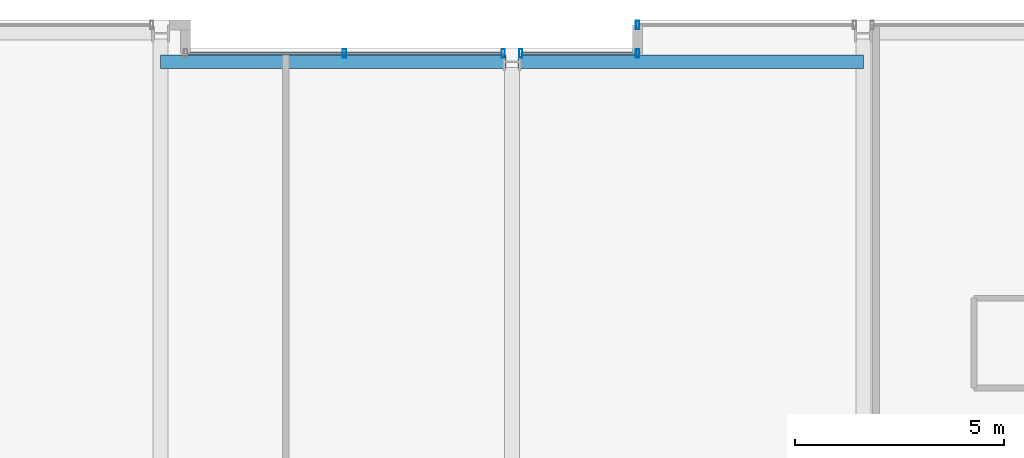
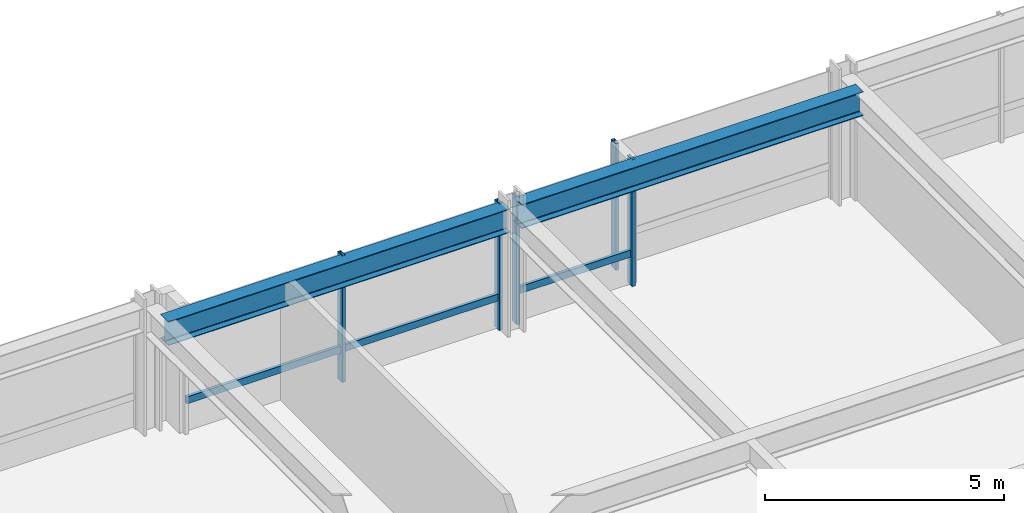
# One storey, part 22 of 33: 7 members, 2 beams, 3 elements without a shape of their own.
"""IFC4 building model written with IfcOpenShell, lengths in metres."""

from ifc_helpers import new_model, si_unit, direction, frame, origin, origin_2d, place, context, subcontext, project, spatial, hollow_rectangle, i_section, extrude, material, layer, layer_set, material_profile, profile_set, type_object, element, aggregate, save


model = new_model("IFC4")

# Units and contexts
model_context = context("Model", 3, precision=1e-05, world=origin(), true_north=direction((0.0, 1.0)))
body_context = subcontext(model_context, "Body", "Model", "MODEL_VIEW")
ifc_project = project(units=[si_unit("LENGTHUNIT", "METRE"), si_unit("AREAUNIT", "SQUARE_METRE"), si_unit("VOLUMEUNIT", "CUBIC_METRE"), si_unit("PLANEANGLEUNIT", "RADIAN"), si_unit("MASSUNIT", "GRAM", prefix="KILO")], contexts=[model_context])

# Site, building, storey
site_placement = place(None, origin())
site = spatial("IfcSite", under=ifc_project, at=site_placement, CompositionType="ELEMENT")
building_placement = place(site_placement, origin())
building = spatial("IfcBuilding", under=site, at=building_placement, Name="Drelvath Grand Hotel", CompositionType="ELEMENT")
storey_placement = place(building_placement, frame((0.0, 0.0, 119.800048828125)))
storey = spatial("IfcBuildingStorey", under=building, at=storey_placement, Name="L30", CompositionType="ELEMENT", Elevation=119.800048828125)

# Curtain wall, member
ifc_material_1 = material(Name="Champagne Bronze Anodised Aluminium Frame", Category="aluminium")
ifc_layer = layer(ifc_material_1, 0.199951171875)
ifc_layer_set = layer_set([ifc_layer], Name="Champagne Bronze Anodised Aluminium Frame")
curtain_wall_type = type_object("IfcCurtainWallType", Name="Stick Curtain Wall CW-03 Champagne Bronze Mid-Rise", PredefinedType="NOTDEFINED", material=ifc_layer_set)
curtain_wall_1_placement = place(storey_placement, origin())
curtain_wall_1 = element("IfcCurtainWall", 1, at=curtain_wall_1_placement, inside=storey, type_object=curtain_wall_type, Name="L30 CW-03 Curtain Wall CW03-L30-NM1", PredefinedType="NOTDEFINED")
ifc_material_profile_1 = material_profile(ifc_material_1, hollow_rectangle(XDim=0.074951171875, YDim=0.179931640625, WallThickness=0.0048828125, at=origin_2d()), Name="HSS180X75X5")
ifc_profile_set_1 = profile_set([ifc_material_profile_1], Name="Champagne Bronze Anodised Aluminium Frame")
member_type_1 = type_object("IfcMemberType", Name="Curtain Wall Horizontal Transom CW-03 HSS180X75X5", PredefinedType="USERDEFINED", material=ifc_profile_set_1)
member_1_placement = place(storey_placement, frame((-7.760009765625, 53.199951171875, 0.81005859375), z_axis=(1.0, 0.0, 0.0), x_axis=(0.0, 1.0, 0.0)))
member_1 = element("IfcMember", 2, at=member_1_placement, type_object=member_type_1, Name="CW03-L30-NM1 Sill Transom", ObjectType="TRANSOM", PredefinedType="USERDEFINED", context=body_context, shape_type="SweptSolid", body=[
    extrude(hollow_rectangle(XDim=0.074951171875, YDim=0.179931640625, WallThickness=0.0048828125, at=origin_2d()), origin(), (0.0, 0.0, 1.0), 7.510498046875),
])

curtain_wall_2_placement = place(storey_placement, origin())
curtain_wall_2 = element("IfcCurtainWall", 3, at=curtain_wall_2_placement, inside=storey, type_object=curtain_wall_type, Name="L30 CW-03 Curtain Wall CW03-L30-NM2", PredefinedType="NOTDEFINED")
member_2_placement = place(storey_placement, frame((0.24951171875, 53.199951171875, 0.81005859375), z_axis=(1.0, 0.0, 0.0), x_axis=(0.0, 1.0, 0.0)))
member_2 = element("IfcMember", 4, at=member_2_placement, type_object=member_type_1, Name="CW03-L30-NM2 Sill Transom", ObjectType="TRANSOM", PredefinedType="USERDEFINED", context=body_context, shape_type="SweptSolid", body=[
    extrude(hollow_rectangle(XDim=0.074951171875, YDim=0.179931640625, WallThickness=0.0048828125, at=origin_2d()), origin(), (0.0, 0.0, 1.0), 2.71044921875),
])

# Member
ifc_material_profile_2 = material_profile(ifc_material_1, hollow_rectangle(XDim=0.080078125, YDim=0.199951171875, WallThickness=0.0048828125, at=origin_2d()), Name="HSS200X80X5")
ifc_profile_set_2 = profile_set([ifc_material_profile_2], Name="Champagne Bronze Anodised Aluminium Frame")
member_type_2 = type_object("IfcMemberType", Name="Curtain Wall Vertical Mullion CW-03 HSS200X80X5", PredefinedType="MULLION", material=ifc_profile_set_2)
member_3_placement = place(storey_placement, frame((-4.004638671875, 53.199951171875, 0.0), z_axis=(0.0, 0.0, 1.0), x_axis=(1.0, 0.0, 0.0)))
member_3 = element("IfcMember", 5, at=member_3_placement, type_object=member_type_2, Name="CW03-L30-NM1 Mullion 2", PredefinedType="MULLION", context=body_context, shape_type="SweptSolid", body=[
    extrude(hollow_rectangle(XDim=0.080078125, YDim=0.199951171875, WallThickness=0.0048828125, at=origin_2d()), origin(), (0.0, 0.0, 1.0), 3.239990234375),
])

member_4_placement = place(storey_placement, frame((-0.20947265625, 53.199951171875, 0.0), z_axis=(0.0, 0.0, 1.0), x_axis=(1.0, 0.0, 0.0)))
member_4 = element("IfcMember", 6, at=member_4_placement, type_object=member_type_2, Name="CW03-L30-NM1 Mullion 3", PredefinedType="MULLION", context=body_context, shape_type="SweptSolid", body=[
    extrude(hollow_rectangle(XDim=0.080078125, YDim=0.199951171875, WallThickness=0.0048828125, at=origin_2d()), origin(), (0.0, 0.0, 1.0), 3.239990234375),
])

aggregate(curtain_wall_1, [member_3, member_4, member_1])

member_5_placement = place(storey_placement, frame((0.20947265625, 53.199951171875, 0.0), z_axis=(0.0, 0.0, 1.0), x_axis=(1.0, 0.0, 0.0)))
member_5 = element("IfcMember", 7, at=member_5_placement, type_object=member_type_2, Name="CW03-L30-NM2 Mullion 1", PredefinedType="MULLION", context=body_context, shape_type="SweptSolid", body=[
    extrude(hollow_rectangle(XDim=0.080078125, YDim=0.199951171875, WallThickness=0.0048828125, at=origin_2d()), origin(), (0.0, 0.0, 1.0), 3.239990234375),
])

member_6_placement = place(storey_placement, frame((3.0, 53.199951171875, 0.0), z_axis=(0.0, 0.0, 1.0), x_axis=(1.0, 0.0, 0.0)))
member_6 = element("IfcMember", 8, at=member_6_placement, type_object=member_type_2, Name="CW03-L30-NM2 Mullion 2", PredefinedType="MULLION", context=body_context, shape_type="SweptSolid", body=[
    extrude(hollow_rectangle(XDim=0.080078125, YDim=0.199951171875, WallThickness=0.0048828125, at=origin_2d()), origin(), (0.0, 0.0, 1.0), 3.239990234375),
])

aggregate(curtain_wall_2, [member_5, member_6, member_2])

# Curtain wall, member
curtain_wall_3_placement = place(storey_placement, origin())
curtain_wall_3 = element("IfcCurtainWall", 9, at=curtain_wall_3_placement, inside=storey, type_object=curtain_wall_type, Name="L30 CW-03 Curtain Wall CW03-L30-NE1", PredefinedType="NOTDEFINED")
member_7_placement = place(storey_placement, frame((3.0, 53.8798828125, 0.0), z_axis=(0.0, 0.0, 1.0), x_axis=(1.0, 0.0, 0.0)))
member_7 = element("IfcMember", 10, at=member_7_placement, type_object=member_type_2, Name="CW03-L30-NE1 Mullion 1", PredefinedType="MULLION", context=body_context, shape_type="SweptSolid", body=[
    extrude(hollow_rectangle(XDim=0.080078125, YDim=0.199951171875, WallThickness=0.0048828125, at=origin_2d()), origin(), (0.0, 0.0, 1.0), 3.239990234375),
])
aggregate(curtain_wall_3, [member_7])

# Beams
ifc_material_2 = material(Name="Steel ASTM A992 Gr 50", Category="steel")
ifc_material_profile_3 = material_profile(ifc_material_2, i_section(OverallWidth=0.323974609375, OverallDepth=0.611083984375, WebThickness=0.0126953125, FlangeThickness=0.01904296875, FilletRadius=0.02197265625, at=origin_2d()), Name="W24X104")
ifc_profile_set_3 = profile_set([ifc_material_profile_3], Name="Steel ASTM A992 Gr 50")
beam_type = type_object("IfcBeamType", Name="Perimeter Spandrel Beam W24X104", PredefinedType="SPANDREL", material=ifc_profile_set_3)
for number, where, z_axis, x_axis, name in (
    (11, (-8.39990234375, 53.0, 2.9345703125), (1.0, 0.0, 0.0), (0.0, 1.0, 0.0), "L30 Spandrel North Mid W"),
    (12, (0.139892578125, 53.0, 2.9345703125), (1.0, 0.0, 0.0), (0.0, 1.0, 0.0), "L30 Spandrel North Mid E"),
):
    element("IfcBeam", number, at=place(storey_placement, frame(where, z_axis=z_axis, x_axis=x_axis)), inside=storey, type_object=beam_type, Name=name, PredefinedType="SPANDREL", context=body_context, shape_type="SweptSolid", body=[
        extrude(i_section(OverallWidth=0.323974609375, OverallDepth=0.611083984375, WebThickness=0.0126953125, FlangeThickness=0.01904296875, FilletRadius=0.02197265625, at=origin_2d()), origin(), (0.0, 0.0, 1.0), 8.260009765625),
    ])

save(model, "model.ifc")
